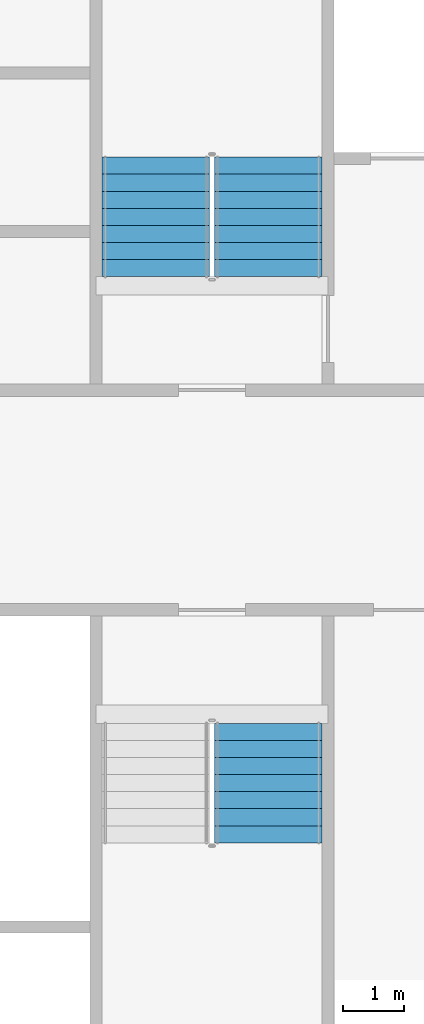
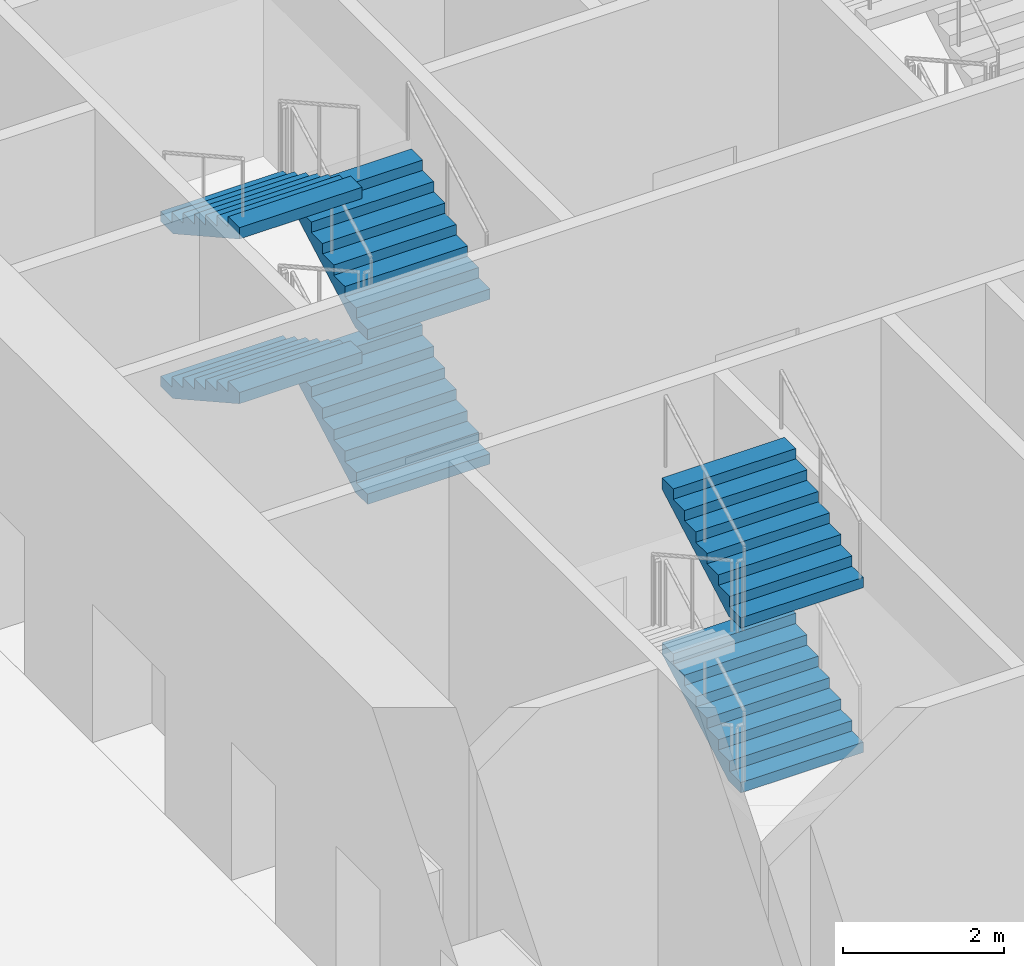
# One storey, part 14 of 22: 6 stair flights, 2 elements without a shape of their own.
"""IFC4 building model written with IfcOpenShell, lengths in metres."""

from ifc_helpers import new_model, si_unit, direction, frame, origin, place, context, subcontext, project, spatial, faceted_brep, material, type_object, element, aggregate, save


model = new_model("IFC4")

# Units and contexts
model_context = context("Model", 3, precision=1e-05, world=origin(), true_north=direction((0.0, 1.0)))
body_context = subcontext(model_context, "Body", "Model", "MODEL_VIEW")
ifc_project = project(units=[si_unit("LENGTHUNIT", "METRE"), si_unit("AREAUNIT", "SQUARE_METRE"), si_unit("VOLUMEUNIT", "CUBIC_METRE"), si_unit("PLANEANGLEUNIT", "RADIAN"), si_unit("MASSUNIT", "GRAM", prefix="KILO")], contexts=[model_context])

# Site, building, storey
site_placement = place(None, origin())
site = spatial("IfcSite", under=ifc_project, at=site_placement, CompositionType="ELEMENT")
building_placement = place(site_placement, origin())
building = spatial("IfcBuilding", under=site, at=building_placement, Name="Tarsis Ring Headquarters", CompositionType="ELEMENT")
storey_placement = place(building_placement, frame((0.0, 0.0, 25.0)))
storey = spatial("IfcBuildingStorey", under=building, at=storey_placement, Name="L04", CompositionType="ELEMENT", Elevation=25.0)

# Stair, stair flights
ifc_material_1 = material(Name="Core stair 1760")
stair_type = type_object("IfcStairType", Name="Core stair 1760", PredefinedType="HALF_TURN_STAIR", material=ifc_material_1)
stair_1_placement = place(storey_placement, origin())
stair_1 = element("IfcStair", 1, at=stair_1_placement, inside=storey, type_object=stair_type, Name="L04 Firefighting stair", PredefinedType="HALF_TURN_STAIR")
ifc_material_2 = material(Name="Concrete C40/50", Category="concrete")
stair_flight_type = type_object("IfcStairFlightType", Name="Core stair flight 1760", PredefinedType="STRAIGHT", material=ifc_material_2)
stair_flight_1_placement = place(storey_placement, frame((-3.580078125, 3.659912109375, 0.0), z_axis=(0.0, 0.0, 1.0), x_axis=(0.0, 1.0, 0.0)))
stair_flight_1 = element("IfcStairFlight", 2, at=stair_flight_1_placement, type_object=stair_flight_type, Name="Stair ST1 flight 1", NumberOfRisers=8, NumberOfTreads=7, PredefinedType="STRAIGHT", RiserHeight=0.15625, TreadLength=0.28, context=body_context, shape_type="Brep", body=[
    faceted_brep([(0.0, 0.8798828125, 0.0), (0.0, 0.8798828125, 0.15625), (0.280029296875, 0.8798828125, 0.15625), (0.280029296875, 0.8798828125, 0.3125), (0.56005859375, 0.8798828125, 0.3125), (0.56005859375, 0.8798828125, 0.46875), (0.840087890625, 0.8798828125, 0.46875), (0.840087890625, 0.8798828125, 0.625), (1.1201171875, 0.8798828125, 0.625), (1.1201171875, 0.8798828125, 0.78125), (1.39990234375, 0.8798828125, 0.78125), (1.39990234375, 0.8798828125, 0.9375), (1.679931640625, 0.8798828125, 0.9375), (1.679931640625, 0.8798828125, 1.09375), (1.9599609375, 0.8798828125, 1.09375), (1.9599609375, 0.8798828125, 0.922119140625), (0.3076171875, 0.8798828125, 0.0), (0.3076171875, -0.8798828125, 0.0), (1.9599609375, -0.8798828125, 0.922119140625), (1.9599609375, -0.8798828125, 1.09375), (1.679931640625, -0.8798828125, 1.09375), (1.679931640625, -0.8798828125, 0.9375), (1.39990234375, -0.8798828125, 0.9375), (1.39990234375, -0.8798828125, 0.78125), (1.1201171875, -0.8798828125, 0.78125), (1.1201171875, -0.8798828125, 0.625), (0.840087890625, -0.8798828125, 0.625), (0.840087890625, -0.8798828125, 0.46875), (0.56005859375, -0.8798828125, 0.46875), (0.56005859375, -0.8798828125, 0.3125), (0.280029296875, -0.8798828125, 0.3125), (0.280029296875, -0.8798828125, 0.15625), (0.0, -0.8798828125, 0.15625), (0.0, -0.8798828125, 0.0), (0.0, -0.43994140625, 0.15625), (0.0, -0.43994140625, 0.0), (0.0, 0.0, 0.15625), (0.0, 0.0, 0.0), (0.0, 0.43994140625, 0.15625), (0.0, 0.43994140625, 0.0), (0.280029296875, -0.43994140625, 0.15625), (0.280029296875, 0.0, 0.15625), (0.280029296875, 0.43994140625, 0.15625), (0.280029296875, -0.43994140625, 0.3125), (0.280029296875, 0.0, 0.3125), (0.280029296875, 0.43994140625, 0.3125), (0.56005859375, -0.43994140625, 0.3125), (0.56005859375, 0.0, 0.3125), (0.56005859375, 0.43994140625, 0.3125), (0.56005859375, -0.43994140625, 0.46875), (0.56005859375, 0.0, 0.46875), (0.56005859375, 0.43994140625, 0.46875), (0.840087890625, -0.43994140625, 0.46875), (0.840087890625, 0.0, 0.46875), (0.840087890625, 0.43994140625, 0.46875), (0.840087890625, -0.43994140625, 0.625), (0.840087890625, 0.0, 0.625), (0.840087890625, 0.43994140625, 0.625), (1.1201171875, -0.43994140625, 0.625), (1.1201171875, 0.0, 0.625), (1.1201171875, 0.43994140625, 0.625), (1.1201171875, -0.43994140625, 0.78125), (1.1201171875, 0.0, 0.78125), (1.1201171875, 0.43994140625, 0.78125), (1.39990234375, -0.43994140625, 0.78125), (1.39990234375, 0.0, 0.78125), (1.39990234375, 0.43994140625, 0.78125), (1.39990234375, -0.43994140625, 0.9375), (1.39990234375, 0.0, 0.9375), (1.39990234375, 0.43994140625, 0.9375), (1.679931640625, -0.43994140625, 0.9375), (1.679931640625, 0.0, 0.9375), (1.679931640625, 0.43994140625, 0.9375), (1.679931640625, -0.43994140625, 1.09375), (1.679931640625, 0.0, 1.09375), (1.679931640625, 0.43994140625, 1.09375), (1.9599609375, -0.43994140625, 1.09375), (1.9599609375, 0.0, 1.09375), (1.9599609375, 0.43994140625, 1.09375), (1.9599609375, -0.43994140625, 0.922119140625), (1.9599609375, 0.0, 0.922119140625), (1.9599609375, 0.43994140625, 0.922119140625), (0.3076171875, -0.43994140625, 0.0), (0.3076171875, 0.0, 0.0), (0.3076171875, 0.43994140625, 0.0)], [[[0, 1, 2, 3, 4, 5, 6, 7, 8, 9, 10, 11, 12, 13, 14, 15, 16]], [[17, 18, 19, 20, 21, 22, 23, 24, 25, 26, 27, 28, 29, 30, 31, 32, 33]], [[33, 32, 34, 35]], [[35, 34, 36, 37]], [[37, 36, 38, 39]], [[39, 38, 1, 0]], [[32, 31, 40, 34]], [[34, 40, 41, 36]], [[36, 41, 42, 38]], [[38, 42, 2, 1]], [[31, 30, 43, 40]], [[40, 43, 44, 41]], [[41, 44, 45, 42]], [[42, 45, 3, 2]], [[30, 29, 46, 43]], [[43, 46, 47, 44]], [[44, 47, 48, 45]], [[45, 48, 4, 3]], [[29, 28, 49, 46]], [[46, 49, 50, 47]], [[47, 50, 51, 48]], [[48, 51, 5, 4]], [[28, 27, 52, 49]], [[49, 52, 53, 50]], [[50, 53, 54, 51]], [[51, 54, 6, 5]], [[27, 26, 55, 52]], [[52, 55, 56, 53]], [[53, 56, 57, 54]], [[54, 57, 7, 6]], [[26, 25, 58, 55]], [[55, 58, 59, 56]], [[56, 59, 60, 57]], [[57, 60, 8, 7]], [[25, 24, 61, 58]], [[58, 61, 62, 59]], [[59, 62, 63, 60]], [[60, 63, 9, 8]], [[24, 23, 64, 61]], [[61, 64, 65, 62]], [[62, 65, 66, 63]], [[63, 66, 10, 9]], [[23, 22, 67, 64]], [[64, 67, 68, 65]], [[65, 68, 69, 66]], [[66, 69, 11, 10]], [[22, 21, 70, 67]], [[67, 70, 71, 68]], [[68, 71, 72, 69]], [[69, 72, 12, 11]], [[21, 20, 73, 70]], [[70, 73, 74, 71]], [[71, 74, 75, 72]], [[72, 75, 13, 12]], [[20, 19, 76, 73]], [[73, 76, 77, 74]], [[74, 77, 78, 75]], [[75, 78, 14, 13]], [[19, 18, 79, 76]], [[76, 79, 80, 77]], [[77, 80, 81, 78]], [[78, 81, 15, 14]], [[18, 17, 82, 79]], [[79, 82, 83, 80]], [[80, 83, 84, 81]], [[81, 84, 16, 15]], [[17, 33, 35, 82]], [[82, 35, 37, 83]], [[83, 37, 39, 84]], [[84, 39, 0, 16]]]),
])
stair_flight_2_placement = place(storey_placement, frame((-5.419921875, 5.6201171875, 1.25), z_axis=(0.0, 0.0, 1.0), x_axis=(0.0, -1.0, 0.0)))
stair_flight_2 = element("IfcStairFlight", 3, at=stair_flight_2_placement, type_object=stair_flight_type, Name="Stair ST1 flight 2", NumberOfRisers=8, NumberOfTreads=7, PredefinedType="STRAIGHT", RiserHeight=0.15625, TreadLength=0.28, context=body_context, shape_type="Brep", body=[
    faceted_brep([(0.0, 0.8798828125, 0.0), (0.0, 0.8798828125, 0.15625), (0.280029296875, 0.8798828125, 0.15625), (0.280029296875, 0.8798828125, 0.3125), (0.56005859375, 0.8798828125, 0.3125), (0.56005859375, 0.8798828125, 0.46875), (0.840087890625, 0.8798828125, 0.46875), (0.840087890625, 0.8798828125, 0.625), (1.1201171875, 0.8798828125, 0.625), (1.1201171875, 0.8798828125, 0.78125), (1.39990234375, 0.8798828125, 0.78125), (1.39990234375, 0.8798828125, 0.9375), (1.679931640625, 0.8798828125, 0.9375), (1.679931640625, 0.8798828125, 1.09375), (1.9599609375, 0.8798828125, 1.09375), (1.9599609375, 0.8798828125, 0.922119140625), (0.3076171875, 0.8798828125, 0.0), (0.3076171875, -0.8798828125, 0.0), (1.9599609375, -0.8798828125, 0.922119140625), (1.9599609375, -0.8798828125, 1.09375), (1.679931640625, -0.8798828125, 1.09375), (1.679931640625, -0.8798828125, 0.9375), (1.39990234375, -0.8798828125, 0.9375), (1.39990234375, -0.8798828125, 0.78125), (1.1201171875, -0.8798828125, 0.78125), (1.1201171875, -0.8798828125, 0.625), (0.840087890625, -0.8798828125, 0.625), (0.840087890625, -0.8798828125, 0.46875), (0.56005859375, -0.8798828125, 0.46875), (0.56005859375, -0.8798828125, 0.3125), (0.280029296875, -0.8798828125, 0.3125), (0.280029296875, -0.8798828125, 0.15625), (0.0, -0.8798828125, 0.15625), (0.0, -0.8798828125, 0.0), (0.0, -0.43994140625, 0.15625), (0.0, -0.43994140625, 0.0), (0.0, 0.0, 0.15625), (0.0, 0.0, 0.0), (0.0, 0.43994140625, 0.15625), (0.0, 0.43994140625, 0.0), (0.280029296875, -0.43994140625, 0.15625), (0.280029296875, 0.0, 0.15625), (0.280029296875, 0.43994140625, 0.15625), (0.280029296875, -0.43994140625, 0.3125), (0.280029296875, 0.0, 0.3125), (0.280029296875, 0.43994140625, 0.3125), (0.56005859375, -0.43994140625, 0.3125), (0.56005859375, 0.0, 0.3125), (0.56005859375, 0.43994140625, 0.3125), (0.56005859375, -0.43994140625, 0.46875), (0.56005859375, 0.0, 0.46875), (0.56005859375, 0.43994140625, 0.46875), (0.840087890625, -0.43994140625, 0.46875), (0.840087890625, 0.0, 0.46875), (0.840087890625, 0.43994140625, 0.46875), (0.840087890625, -0.43994140625, 0.625), (0.840087890625, 0.0, 0.625), (0.840087890625, 0.43994140625, 0.625), (1.1201171875, -0.43994140625, 0.625), (1.1201171875, 0.0, 0.625), (1.1201171875, 0.43994140625, 0.625), (1.1201171875, -0.43994140625, 0.78125), (1.1201171875, 0.0, 0.78125), (1.1201171875, 0.43994140625, 0.78125), (1.39990234375, -0.43994140625, 0.78125), (1.39990234375, 0.0, 0.78125), (1.39990234375, 0.43994140625, 0.78125), (1.39990234375, -0.43994140625, 0.9375), (1.39990234375, 0.0, 0.9375), (1.39990234375, 0.43994140625, 0.9375), (1.679931640625, -0.43994140625, 0.9375), (1.679931640625, 0.0, 0.9375), (1.679931640625, 0.43994140625, 0.9375), (1.679931640625, -0.43994140625, 1.09375), (1.679931640625, 0.0, 1.09375), (1.679931640625, 0.43994140625, 1.09375), (1.9599609375, -0.43994140625, 1.09375), (1.9599609375, 0.0, 1.09375), (1.9599609375, 0.43994140625, 1.09375), (1.9599609375, -0.43994140625, 0.922119140625), (1.9599609375, 0.0, 0.922119140625), (1.9599609375, 0.43994140625, 0.922119140625), (0.3076171875, -0.43994140625, 0.0), (0.3076171875, 0.0, 0.0), (0.3076171875, 0.43994140625, 0.0)], [[[0, 1, 2, 3, 4, 5, 6, 7, 8, 9, 10, 11, 12, 13, 14, 15, 16]], [[17, 18, 19, 20, 21, 22, 23, 24, 25, 26, 27, 28, 29, 30, 31, 32, 33]], [[33, 32, 34, 35]], [[35, 34, 36, 37]], [[37, 36, 38, 39]], [[39, 38, 1, 0]], [[32, 31, 40, 34]], [[34, 40, 41, 36]], [[36, 41, 42, 38]], [[38, 42, 2, 1]], [[31, 30, 43, 40]], [[40, 43, 44, 41]], [[41, 44, 45, 42]], [[42, 45, 3, 2]], [[30, 29, 46, 43]], [[43, 46, 47, 44]], [[44, 47, 48, 45]], [[45, 48, 4, 3]], [[29, 28, 49, 46]], [[46, 49, 50, 47]], [[47, 50, 51, 48]], [[48, 51, 5, 4]], [[28, 27, 52, 49]], [[49, 52, 53, 50]], [[50, 53, 54, 51]], [[51, 54, 6, 5]], [[27, 26, 55, 52]], [[52, 55, 56, 53]], [[53, 56, 57, 54]], [[54, 57, 7, 6]], [[26, 25, 58, 55]], [[55, 58, 59, 56]], [[56, 59, 60, 57]], [[57, 60, 8, 7]], [[25, 24, 61, 58]], [[58, 61, 62, 59]], [[59, 62, 63, 60]], [[60, 63, 9, 8]], [[24, 23, 64, 61]], [[61, 64, 65, 62]], [[62, 65, 66, 63]], [[63, 66, 10, 9]], [[23, 22, 67, 64]], [[64, 67, 68, 65]], [[65, 68, 69, 66]], [[66, 69, 11, 10]], [[22, 21, 70, 67]], [[67, 70, 71, 68]], [[68, 71, 72, 69]], [[69, 72, 12, 11]], [[21, 20, 73, 70]], [[70, 73, 74, 71]], [[71, 74, 75, 72]], [[72, 75, 13, 12]], [[20, 19, 76, 73]], [[73, 76, 77, 74]], [[74, 77, 78, 75]], [[75, 78, 14, 13]], [[19, 18, 79, 76]], [[76, 79, 80, 77]], [[77, 80, 81, 78]], [[78, 81, 15, 14]], [[18, 17, 82, 79]], [[79, 82, 83, 80]], [[80, 83, 84, 81]], [[81, 84, 16, 15]], [[17, 33, 35, 82]], [[82, 35, 37, 83]], [[83, 37, 39, 84]], [[84, 39, 0, 16]]]),
])
stair_flight_3_placement = place(storey_placement, frame((-3.580078125, 3.659912109375, 2.5), z_axis=(0.0, 0.0, 1.0), x_axis=(0.0, 1.0, 0.0)))
stair_flight_3 = element("IfcStairFlight", 4, at=stair_flight_3_placement, type_object=stair_flight_type, Name="Stair ST1 flight 3", NumberOfRisers=8, NumberOfTreads=7, PredefinedType="STRAIGHT", RiserHeight=0.15625, TreadLength=0.28, context=body_context, shape_type="Brep", body=[
    faceted_brep([(0.0, 0.8798828125, 0.0), (0.0, 0.8798828125, 0.15625), (0.280029296875, 0.8798828125, 0.15625), (0.280029296875, 0.8798828125, 0.3125), (0.56005859375, 0.8798828125, 0.3125), (0.56005859375, 0.8798828125, 0.46875), (0.840087890625, 0.8798828125, 0.46875), (0.840087890625, 0.8798828125, 0.625), (1.1201171875, 0.8798828125, 0.625), (1.1201171875, 0.8798828125, 0.78125), (1.39990234375, 0.8798828125, 0.78125), (1.39990234375, 0.8798828125, 0.9375), (1.679931640625, 0.8798828125, 0.9375), (1.679931640625, 0.8798828125, 1.09375), (1.9599609375, 0.8798828125, 1.09375), (1.9599609375, 0.8798828125, 0.922119140625), (0.3076171875, 0.8798828125, 0.0), (0.3076171875, -0.8798828125, 0.0), (1.9599609375, -0.8798828125, 0.922119140625), (1.9599609375, -0.8798828125, 1.09375), (1.679931640625, -0.8798828125, 1.09375), (1.679931640625, -0.8798828125, 0.9375), (1.39990234375, -0.8798828125, 0.9375), (1.39990234375, -0.8798828125, 0.78125), (1.1201171875, -0.8798828125, 0.78125), (1.1201171875, -0.8798828125, 0.625), (0.840087890625, -0.8798828125, 0.625), (0.840087890625, -0.8798828125, 0.46875), (0.56005859375, -0.8798828125, 0.46875), (0.56005859375, -0.8798828125, 0.3125), (0.280029296875, -0.8798828125, 0.3125), (0.280029296875, -0.8798828125, 0.15625), (0.0, -0.8798828125, 0.15625), (0.0, -0.8798828125, 0.0), (0.0, -0.43994140625, 0.15625), (0.0, -0.43994140625, 0.0), (0.0, 0.0, 0.15625), (0.0, 0.0, 0.0), (0.0, 0.43994140625, 0.15625), (0.0, 0.43994140625, 0.0), (0.280029296875, -0.43994140625, 0.15625), (0.280029296875, 0.0, 0.15625), (0.280029296875, 0.43994140625, 0.15625), (0.280029296875, -0.43994140625, 0.3125), (0.280029296875, 0.0, 0.3125), (0.280029296875, 0.43994140625, 0.3125), (0.56005859375, -0.43994140625, 0.3125), (0.56005859375, 0.0, 0.3125), (0.56005859375, 0.43994140625, 0.3125), (0.56005859375, -0.43994140625, 0.46875), (0.56005859375, 0.0, 0.46875), (0.56005859375, 0.43994140625, 0.46875), (0.840087890625, -0.43994140625, 0.46875), (0.840087890625, 0.0, 0.46875), (0.840087890625, 0.43994140625, 0.46875), (0.840087890625, -0.43994140625, 0.625), (0.840087890625, 0.0, 0.625), (0.840087890625, 0.43994140625, 0.625), (1.1201171875, -0.43994140625, 0.625), (1.1201171875, 0.0, 0.625), (1.1201171875, 0.43994140625, 0.625), (1.1201171875, -0.43994140625, 0.78125), (1.1201171875, 0.0, 0.78125), (1.1201171875, 0.43994140625, 0.78125), (1.39990234375, -0.43994140625, 0.78125), (1.39990234375, 0.0, 0.78125), (1.39990234375, 0.43994140625, 0.78125), (1.39990234375, -0.43994140625, 0.9375), (1.39990234375, 0.0, 0.9375), (1.39990234375, 0.43994140625, 0.9375), (1.679931640625, -0.43994140625, 0.9375), (1.679931640625, 0.0, 0.9375), (1.679931640625, 0.43994140625, 0.9375), (1.679931640625, -0.43994140625, 1.09375), (1.679931640625, 0.0, 1.09375), (1.679931640625, 0.43994140625, 1.09375), (1.9599609375, -0.43994140625, 1.09375), (1.9599609375, 0.0, 1.09375), (1.9599609375, 0.43994140625, 1.09375), (1.9599609375, -0.43994140625, 0.922119140625), (1.9599609375, 0.0, 0.922119140625), (1.9599609375, 0.43994140625, 0.922119140625), (0.3076171875, -0.43994140625, 0.0), (0.3076171875, 0.0, 0.0), (0.3076171875, 0.43994140625, 0.0)], [[[0, 1, 2, 3, 4, 5, 6, 7, 8, 9, 10, 11, 12, 13, 14, 15, 16]], [[17, 18, 19, 20, 21, 22, 23, 24, 25, 26, 27, 28, 29, 30, 31, 32, 33]], [[33, 32, 34, 35]], [[35, 34, 36, 37]], [[37, 36, 38, 39]], [[39, 38, 1, 0]], [[32, 31, 40, 34]], [[34, 40, 41, 36]], [[36, 41, 42, 38]], [[38, 42, 2, 1]], [[31, 30, 43, 40]], [[40, 43, 44, 41]], [[41, 44, 45, 42]], [[42, 45, 3, 2]], [[30, 29, 46, 43]], [[43, 46, 47, 44]], [[44, 47, 48, 45]], [[45, 48, 4, 3]], [[29, 28, 49, 46]], [[46, 49, 50, 47]], [[47, 50, 51, 48]], [[48, 51, 5, 4]], [[28, 27, 52, 49]], [[49, 52, 53, 50]], [[50, 53, 54, 51]], [[51, 54, 6, 5]], [[27, 26, 55, 52]], [[52, 55, 56, 53]], [[53, 56, 57, 54]], [[54, 57, 7, 6]], [[26, 25, 58, 55]], [[55, 58, 59, 56]], [[56, 59, 60, 57]], [[57, 60, 8, 7]], [[25, 24, 61, 58]], [[58, 61, 62, 59]], [[59, 62, 63, 60]], [[60, 63, 9, 8]], [[24, 23, 64, 61]], [[61, 64, 65, 62]], [[62, 65, 66, 63]], [[63, 66, 10, 9]], [[23, 22, 67, 64]], [[64, 67, 68, 65]], [[65, 68, 69, 66]], [[66, 69, 11, 10]], [[22, 21, 70, 67]], [[67, 70, 71, 68]], [[68, 71, 72, 69]], [[69, 72, 12, 11]], [[21, 20, 73, 70]], [[70, 73, 74, 71]], [[71, 74, 75, 72]], [[72, 75, 13, 12]], [[20, 19, 76, 73]], [[73, 76, 77, 74]], [[74, 77, 78, 75]], [[75, 78, 14, 13]], [[19, 18, 79, 76]], [[76, 79, 80, 77]], [[77, 80, 81, 78]], [[78, 81, 15, 14]], [[18, 17, 82, 79]], [[79, 82, 83, 80]], [[80, 83, 84, 81]], [[81, 84, 16, 15]], [[17, 33, 35, 82]], [[82, 35, 37, 83]], [[83, 37, 39, 84]], [[84, 39, 0, 16]]]),
])
stair_flight_4_placement = place(storey_placement, frame((-5.419921875, 5.6201171875, 3.75), z_axis=(0.0, 0.0, 1.0), x_axis=(0.0, -1.0, 0.0)))
stair_flight_4 = element("IfcStairFlight", 5, at=stair_flight_4_placement, type_object=stair_flight_type, Name="Stair ST1 flight 4", NumberOfRisers=8, NumberOfTreads=7, PredefinedType="STRAIGHT", RiserHeight=0.15625, TreadLength=0.28, context=body_context, shape_type="Brep", body=[
    faceted_brep([(0.0, 0.8798828125, 0.0), (0.0, 0.8798828125, 0.15625), (0.280029296875, 0.8798828125, 0.15625), (0.280029296875, 0.8798828125, 0.3125), (0.56005859375, 0.8798828125, 0.3125), (0.56005859375, 0.8798828125, 0.46875), (0.840087890625, 0.8798828125, 0.46875), (0.840087890625, 0.8798828125, 0.625), (1.1201171875, 0.8798828125, 0.625), (1.1201171875, 0.8798828125, 0.78125), (1.39990234375, 0.8798828125, 0.78125), (1.39990234375, 0.8798828125, 0.9375), (1.679931640625, 0.8798828125, 0.9375), (1.679931640625, 0.8798828125, 1.09375), (1.9599609375, 0.8798828125, 1.09375), (1.9599609375, 0.8798828125, 0.922119140625), (0.3076171875, 0.8798828125, 0.0), (0.3076171875, -0.8798828125, 0.0), (1.9599609375, -0.8798828125, 0.922119140625), (1.9599609375, -0.8798828125, 1.09375), (1.679931640625, -0.8798828125, 1.09375), (1.679931640625, -0.8798828125, 0.9375), (1.39990234375, -0.8798828125, 0.9375), (1.39990234375, -0.8798828125, 0.78125), (1.1201171875, -0.8798828125, 0.78125), (1.1201171875, -0.8798828125, 0.625), (0.840087890625, -0.8798828125, 0.625), (0.840087890625, -0.8798828125, 0.46875), (0.56005859375, -0.8798828125, 0.46875), (0.56005859375, -0.8798828125, 0.3125), (0.280029296875, -0.8798828125, 0.3125), (0.280029296875, -0.8798828125, 0.15625), (0.0, -0.8798828125, 0.15625), (0.0, -0.8798828125, 0.0), (0.0, -0.43994140625, 0.15625), (0.0, -0.43994140625, 0.0), (0.0, 0.0, 0.15625), (0.0, 0.0, 0.0), (0.0, 0.43994140625, 0.15625), (0.0, 0.43994140625, 0.0), (0.280029296875, -0.43994140625, 0.15625), (0.280029296875, 0.0, 0.15625), (0.280029296875, 0.43994140625, 0.15625), (0.280029296875, -0.43994140625, 0.3125), (0.280029296875, 0.0, 0.3125), (0.280029296875, 0.43994140625, 0.3125), (0.56005859375, -0.43994140625, 0.3125), (0.56005859375, 0.0, 0.3125), (0.56005859375, 0.43994140625, 0.3125), (0.56005859375, -0.43994140625, 0.46875), (0.56005859375, 0.0, 0.46875), (0.56005859375, 0.43994140625, 0.46875), (0.840087890625, -0.43994140625, 0.46875), (0.840087890625, 0.0, 0.46875), (0.840087890625, 0.43994140625, 0.46875), (0.840087890625, -0.43994140625, 0.625), (0.840087890625, 0.0, 0.625), (0.840087890625, 0.43994140625, 0.625), (1.1201171875, -0.43994140625, 0.625), (1.1201171875, 0.0, 0.625), (1.1201171875, 0.43994140625, 0.625), (1.1201171875, -0.43994140625, 0.78125), (1.1201171875, 0.0, 0.78125), (1.1201171875, 0.43994140625, 0.78125), (1.39990234375, -0.43994140625, 0.78125), (1.39990234375, 0.0, 0.78125), (1.39990234375, 0.43994140625, 0.78125), (1.39990234375, -0.43994140625, 0.9375), (1.39990234375, 0.0, 0.9375), (1.39990234375, 0.43994140625, 0.9375), (1.679931640625, -0.43994140625, 0.9375), (1.679931640625, 0.0, 0.9375), (1.679931640625, 0.43994140625, 0.9375), (1.679931640625, -0.43994140625, 1.09375), (1.679931640625, 0.0, 1.09375), (1.679931640625, 0.43994140625, 1.09375), (1.9599609375, -0.43994140625, 1.09375), (1.9599609375, 0.0, 1.09375), (1.9599609375, 0.43994140625, 1.09375), (1.9599609375, -0.43994140625, 0.922119140625), (1.9599609375, 0.0, 0.922119140625), (1.9599609375, 0.43994140625, 0.922119140625), (0.3076171875, -0.43994140625, 0.0), (0.3076171875, 0.0, 0.0), (0.3076171875, 0.43994140625, 0.0)], [[[0, 1, 2, 3, 4, 5, 6, 7, 8, 9, 10, 11, 12, 13, 14, 15, 16]], [[17, 18, 19, 20, 21, 22, 23, 24, 25, 26, 27, 28, 29, 30, 31, 32, 33]], [[33, 32, 34, 35]], [[35, 34, 36, 37]], [[37, 36, 38, 39]], [[39, 38, 1, 0]], [[32, 31, 40, 34]], [[34, 40, 41, 36]], [[36, 41, 42, 38]], [[38, 42, 2, 1]], [[31, 30, 43, 40]], [[40, 43, 44, 41]], [[41, 44, 45, 42]], [[42, 45, 3, 2]], [[30, 29, 46, 43]], [[43, 46, 47, 44]], [[44, 47, 48, 45]], [[45, 48, 4, 3]], [[29, 28, 49, 46]], [[46, 49, 50, 47]], [[47, 50, 51, 48]], [[48, 51, 5, 4]], [[28, 27, 52, 49]], [[49, 52, 53, 50]], [[50, 53, 54, 51]], [[51, 54, 6, 5]], [[27, 26, 55, 52]], [[52, 55, 56, 53]], [[53, 56, 57, 54]], [[54, 57, 7, 6]], [[26, 25, 58, 55]], [[55, 58, 59, 56]], [[56, 59, 60, 57]], [[57, 60, 8, 7]], [[25, 24, 61, 58]], [[58, 61, 62, 59]], [[59, 62, 63, 60]], [[60, 63, 9, 8]], [[24, 23, 64, 61]], [[61, 64, 65, 62]], [[62, 65, 66, 63]], [[63, 66, 10, 9]], [[23, 22, 67, 64]], [[64, 67, 68, 65]], [[65, 68, 69, 66]], [[66, 69, 11, 10]], [[22, 21, 70, 67]], [[67, 70, 71, 68]], [[68, 71, 72, 69]], [[69, 72, 12, 11]], [[21, 20, 73, 70]], [[70, 73, 74, 71]], [[71, 74, 75, 72]], [[72, 75, 13, 12]], [[20, 19, 76, 73]], [[73, 76, 77, 74]], [[74, 77, 78, 75]], [[75, 78, 14, 13]], [[19, 18, 79, 76]], [[76, 79, 80, 77]], [[77, 80, 81, 78]], [[78, 81, 15, 14]], [[18, 17, 82, 79]], [[79, 82, 83, 80]], [[80, 83, 84, 81]], [[81, 84, 16, 15]], [[17, 33, 35, 82]], [[82, 35, 37, 83]], [[83, 37, 39, 84]], [[84, 39, 0, 16]]]),
])
aggregate(stair_1, [stair_flight_1, stair_flight_2, stair_flight_3, stair_flight_4])

stair_2_placement = place(storey_placement, origin())
stair_2 = element("IfcStair", 6, at=stair_2_placement, inside=storey, type_object=stair_type, Name="L04 Exit stair C", PredefinedType="HALF_TURN_STAIR")
stair_flight_5_placement = place(storey_placement, frame((-3.580078125, -5.6201171875, 1.25), z_axis=(0.0, 0.0, 1.0), x_axis=(0.0, 1.0, 0.0)))
stair_flight_5 = element("IfcStairFlight", 7, at=stair_flight_5_placement, type_object=stair_flight_type, Name="Stair ST3 flight 2", NumberOfRisers=8, NumberOfTreads=7, PredefinedType="STRAIGHT", RiserHeight=0.15625, TreadLength=0.28, context=body_context, shape_type="Brep", body=[
    faceted_brep([(0.0, 0.8798828125, 0.0), (0.0, 0.8798828125, 0.15625), (0.280029296875, 0.8798828125, 0.15625), (0.280029296875, 0.8798828125, 0.3125), (0.56005859375, 0.8798828125, 0.3125), (0.56005859375, 0.8798828125, 0.46875), (0.840087890625, 0.8798828125, 0.46875), (0.840087890625, 0.8798828125, 0.625), (1.1201171875, 0.8798828125, 0.625), (1.1201171875, 0.8798828125, 0.78125), (1.39990234375, 0.8798828125, 0.78125), (1.39990234375, 0.8798828125, 0.9375), (1.679931640625, 0.8798828125, 0.9375), (1.679931640625, 0.8798828125, 1.09375), (1.9599609375, 0.8798828125, 1.09375), (1.9599609375, 0.8798828125, 0.922119140625), (0.3076171875, 0.8798828125, 0.0), (0.3076171875, -0.8798828125, 0.0), (1.9599609375, -0.8798828125, 0.922119140625), (1.9599609375, -0.8798828125, 1.09375), (1.679931640625, -0.8798828125, 1.09375), (1.679931640625, -0.8798828125, 0.9375), (1.39990234375, -0.8798828125, 0.9375), (1.39990234375, -0.8798828125, 0.78125), (1.1201171875, -0.8798828125, 0.78125), (1.1201171875, -0.8798828125, 0.625), (0.840087890625, -0.8798828125, 0.625), (0.840087890625, -0.8798828125, 0.46875), (0.56005859375, -0.8798828125, 0.46875), (0.56005859375, -0.8798828125, 0.3125), (0.280029296875, -0.8798828125, 0.3125), (0.280029296875, -0.8798828125, 0.15625), (0.0, -0.8798828125, 0.15625), (0.0, -0.8798828125, 0.0), (0.0, -0.43994140625, 0.15625), (0.0, -0.43994140625, 0.0), (0.0, 0.0, 0.15625), (0.0, 0.0, 0.0), (0.0, 0.43994140625, 0.15625), (0.0, 0.43994140625, 0.0), (0.280029296875, -0.43994140625, 0.15625), (0.280029296875, 0.0, 0.15625), (0.280029296875, 0.43994140625, 0.15625), (0.280029296875, -0.43994140625, 0.3125), (0.280029296875, 0.0, 0.3125), (0.280029296875, 0.43994140625, 0.3125), (0.56005859375, -0.43994140625, 0.3125), (0.56005859375, 0.0, 0.3125), (0.56005859375, 0.43994140625, 0.3125), (0.56005859375, -0.43994140625, 0.46875), (0.56005859375, 0.0, 0.46875), (0.56005859375, 0.43994140625, 0.46875), (0.840087890625, -0.43994140625, 0.46875), (0.840087890625, 0.0, 0.46875), (0.840087890625, 0.43994140625, 0.46875), (0.840087890625, -0.43994140625, 0.625), (0.840087890625, 0.0, 0.625), (0.840087890625, 0.43994140625, 0.625), (1.1201171875, -0.43994140625, 0.625), (1.1201171875, 0.0, 0.625), (1.1201171875, 0.43994140625, 0.625), (1.1201171875, -0.43994140625, 0.78125), (1.1201171875, 0.0, 0.78125), (1.1201171875, 0.43994140625, 0.78125), (1.39990234375, -0.43994140625, 0.78125), (1.39990234375, 0.0, 0.78125), (1.39990234375, 0.43994140625, 0.78125), (1.39990234375, -0.43994140625, 0.9375), (1.39990234375, 0.0, 0.9375), (1.39990234375, 0.43994140625, 0.9375), (1.679931640625, -0.43994140625, 0.9375), (1.679931640625, 0.0, 0.9375), (1.679931640625, 0.43994140625, 0.9375), (1.679931640625, -0.43994140625, 1.09375), (1.679931640625, 0.0, 1.09375), (1.679931640625, 0.43994140625, 1.09375), (1.9599609375, -0.43994140625, 1.09375), (1.9599609375, 0.0, 1.09375), (1.9599609375, 0.43994140625, 1.09375), (1.9599609375, -0.43994140625, 0.922119140625), (1.9599609375, 0.0, 0.922119140625), (1.9599609375, 0.43994140625, 0.922119140625), (0.3076171875, -0.43994140625, 0.0), (0.3076171875, 0.0, 0.0), (0.3076171875, 0.43994140625, 0.0)], [[[0, 1, 2, 3, 4, 5, 6, 7, 8, 9, 10, 11, 12, 13, 14, 15, 16]], [[17, 18, 19, 20, 21, 22, 23, 24, 25, 26, 27, 28, 29, 30, 31, 32, 33]], [[33, 32, 34, 35]], [[35, 34, 36, 37]], [[37, 36, 38, 39]], [[39, 38, 1, 0]], [[32, 31, 40, 34]], [[34, 40, 41, 36]], [[36, 41, 42, 38]], [[38, 42, 2, 1]], [[31, 30, 43, 40]], [[40, 43, 44, 41]], [[41, 44, 45, 42]], [[42, 45, 3, 2]], [[30, 29, 46, 43]], [[43, 46, 47, 44]], [[44, 47, 48, 45]], [[45, 48, 4, 3]], [[29, 28, 49, 46]], [[46, 49, 50, 47]], [[47, 50, 51, 48]], [[48, 51, 5, 4]], [[28, 27, 52, 49]], [[49, 52, 53, 50]], [[50, 53, 54, 51]], [[51, 54, 6, 5]], [[27, 26, 55, 52]], [[52, 55, 56, 53]], [[53, 56, 57, 54]], [[54, 57, 7, 6]], [[26, 25, 58, 55]], [[55, 58, 59, 56]], [[56, 59, 60, 57]], [[57, 60, 8, 7]], [[25, 24, 61, 58]], [[58, 61, 62, 59]], [[59, 62, 63, 60]], [[60, 63, 9, 8]], [[24, 23, 64, 61]], [[61, 64, 65, 62]], [[62, 65, 66, 63]], [[63, 66, 10, 9]], [[23, 22, 67, 64]], [[64, 67, 68, 65]], [[65, 68, 69, 66]], [[66, 69, 11, 10]], [[22, 21, 70, 67]], [[67, 70, 71, 68]], [[68, 71, 72, 69]], [[69, 72, 12, 11]], [[21, 20, 73, 70]], [[70, 73, 74, 71]], [[71, 74, 75, 72]], [[72, 75, 13, 12]], [[20, 19, 76, 73]], [[73, 76, 77, 74]], [[74, 77, 78, 75]], [[75, 78, 14, 13]], [[19, 18, 79, 76]], [[76, 79, 80, 77]], [[77, 80, 81, 78]], [[78, 81, 15, 14]], [[18, 17, 82, 79]], [[79, 82, 83, 80]], [[80, 83, 84, 81]], [[81, 84, 16, 15]], [[17, 33, 35, 82]], [[82, 35, 37, 83]], [[83, 37, 39, 84]], [[84, 39, 0, 16]]]),
])
stair_flight_6_placement = place(storey_placement, frame((-3.580078125, -5.6201171875, 3.75), z_axis=(0.0, 0.0, 1.0), x_axis=(0.0, 1.0, 0.0)))
stair_flight_6 = element("IfcStairFlight", 8, at=stair_flight_6_placement, type_object=stair_flight_type, Name="Stair ST3 flight 4", NumberOfRisers=8, NumberOfTreads=7, PredefinedType="STRAIGHT", RiserHeight=0.15625, TreadLength=0.28, context=body_context, shape_type="Brep", body=[
    faceted_brep([(0.0, 0.8798828125, 0.0), (0.0, 0.8798828125, 0.15625), (0.280029296875, 0.8798828125, 0.15625), (0.280029296875, 0.8798828125, 0.3125), (0.56005859375, 0.8798828125, 0.3125), (0.56005859375, 0.8798828125, 0.46875), (0.840087890625, 0.8798828125, 0.46875), (0.840087890625, 0.8798828125, 0.625), (1.1201171875, 0.8798828125, 0.625), (1.1201171875, 0.8798828125, 0.78125), (1.39990234375, 0.8798828125, 0.78125), (1.39990234375, 0.8798828125, 0.9375), (1.679931640625, 0.8798828125, 0.9375), (1.679931640625, 0.8798828125, 1.09375), (1.9599609375, 0.8798828125, 1.09375), (1.9599609375, 0.8798828125, 0.922119140625), (0.3076171875, 0.8798828125, 0.0), (0.3076171875, -0.8798828125, 0.0), (1.9599609375, -0.8798828125, 0.922119140625), (1.9599609375, -0.8798828125, 1.09375), (1.679931640625, -0.8798828125, 1.09375), (1.679931640625, -0.8798828125, 0.9375), (1.39990234375, -0.8798828125, 0.9375), (1.39990234375, -0.8798828125, 0.78125), (1.1201171875, -0.8798828125, 0.78125), (1.1201171875, -0.8798828125, 0.625), (0.840087890625, -0.8798828125, 0.625), (0.840087890625, -0.8798828125, 0.46875), (0.56005859375, -0.8798828125, 0.46875), (0.56005859375, -0.8798828125, 0.3125), (0.280029296875, -0.8798828125, 0.3125), (0.280029296875, -0.8798828125, 0.15625), (0.0, -0.8798828125, 0.15625), (0.0, -0.8798828125, 0.0), (0.0, -0.43994140625, 0.15625), (0.0, -0.43994140625, 0.0), (0.0, 0.0, 0.15625), (0.0, 0.0, 0.0), (0.0, 0.43994140625, 0.15625), (0.0, 0.43994140625, 0.0), (0.280029296875, -0.43994140625, 0.15625), (0.280029296875, 0.0, 0.15625), (0.280029296875, 0.43994140625, 0.15625), (0.280029296875, -0.43994140625, 0.3125), (0.280029296875, 0.0, 0.3125), (0.280029296875, 0.43994140625, 0.3125), (0.56005859375, -0.43994140625, 0.3125), (0.56005859375, 0.0, 0.3125), (0.56005859375, 0.43994140625, 0.3125), (0.56005859375, -0.43994140625, 0.46875), (0.56005859375, 0.0, 0.46875), (0.56005859375, 0.43994140625, 0.46875), (0.840087890625, -0.43994140625, 0.46875), (0.840087890625, 0.0, 0.46875), (0.840087890625, 0.43994140625, 0.46875), (0.840087890625, -0.43994140625, 0.625), (0.840087890625, 0.0, 0.625), (0.840087890625, 0.43994140625, 0.625), (1.1201171875, -0.43994140625, 0.625), (1.1201171875, 0.0, 0.625), (1.1201171875, 0.43994140625, 0.625), (1.1201171875, -0.43994140625, 0.78125), (1.1201171875, 0.0, 0.78125), (1.1201171875, 0.43994140625, 0.78125), (1.39990234375, -0.43994140625, 0.78125), (1.39990234375, 0.0, 0.78125), (1.39990234375, 0.43994140625, 0.78125), (1.39990234375, -0.43994140625, 0.9375), (1.39990234375, 0.0, 0.9375), (1.39990234375, 0.43994140625, 0.9375), (1.679931640625, -0.43994140625, 0.9375), (1.679931640625, 0.0, 0.9375), (1.679931640625, 0.43994140625, 0.9375), (1.679931640625, -0.43994140625, 1.09375), (1.679931640625, 0.0, 1.09375), (1.679931640625, 0.43994140625, 1.09375), (1.9599609375, -0.43994140625, 1.09375), (1.9599609375, 0.0, 1.09375), (1.9599609375, 0.43994140625, 1.09375), (1.9599609375, -0.43994140625, 0.922119140625), (1.9599609375, 0.0, 0.922119140625), (1.9599609375, 0.43994140625, 0.922119140625), (0.3076171875, -0.43994140625, 0.0), (0.3076171875, 0.0, 0.0), (0.3076171875, 0.43994140625, 0.0)], [[[0, 1, 2, 3, 4, 5, 6, 7, 8, 9, 10, 11, 12, 13, 14, 15, 16]], [[17, 18, 19, 20, 21, 22, 23, 24, 25, 26, 27, 28, 29, 30, 31, 32, 33]], [[33, 32, 34, 35]], [[35, 34, 36, 37]], [[37, 36, 38, 39]], [[39, 38, 1, 0]], [[32, 31, 40, 34]], [[34, 40, 41, 36]], [[36, 41, 42, 38]], [[38, 42, 2, 1]], [[31, 30, 43, 40]], [[40, 43, 44, 41]], [[41, 44, 45, 42]], [[42, 45, 3, 2]], [[30, 29, 46, 43]], [[43, 46, 47, 44]], [[44, 47, 48, 45]], [[45, 48, 4, 3]], [[29, 28, 49, 46]], [[46, 49, 50, 47]], [[47, 50, 51, 48]], [[48, 51, 5, 4]], [[28, 27, 52, 49]], [[49, 52, 53, 50]], [[50, 53, 54, 51]], [[51, 54, 6, 5]], [[27, 26, 55, 52]], [[52, 55, 56, 53]], [[53, 56, 57, 54]], [[54, 57, 7, 6]], [[26, 25, 58, 55]], [[55, 58, 59, 56]], [[56, 59, 60, 57]], [[57, 60, 8, 7]], [[25, 24, 61, 58]], [[58, 61, 62, 59]], [[59, 62, 63, 60]], [[60, 63, 9, 8]], [[24, 23, 64, 61]], [[61, 64, 65, 62]], [[62, 65, 66, 63]], [[63, 66, 10, 9]], [[23, 22, 67, 64]], [[64, 67, 68, 65]], [[65, 68, 69, 66]], [[66, 69, 11, 10]], [[22, 21, 70, 67]], [[67, 70, 71, 68]], [[68, 71, 72, 69]], [[69, 72, 12, 11]], [[21, 20, 73, 70]], [[70, 73, 74, 71]], [[71, 74, 75, 72]], [[72, 75, 13, 12]], [[20, 19, 76, 73]], [[73, 76, 77, 74]], [[74, 77, 78, 75]], [[75, 78, 14, 13]], [[19, 18, 79, 76]], [[76, 79, 80, 77]], [[77, 80, 81, 78]], [[78, 81, 15, 14]], [[18, 17, 82, 79]], [[79, 82, 83, 80]], [[80, 83, 84, 81]], [[81, 84, 16, 15]], [[17, 33, 35, 82]], [[82, 35, 37, 83]], [[83, 37, 39, 84]], [[84, 39, 0, 16]]]),
])
aggregate(stair_2, [stair_flight_5, stair_flight_6])

save(model, "model.ifc")
